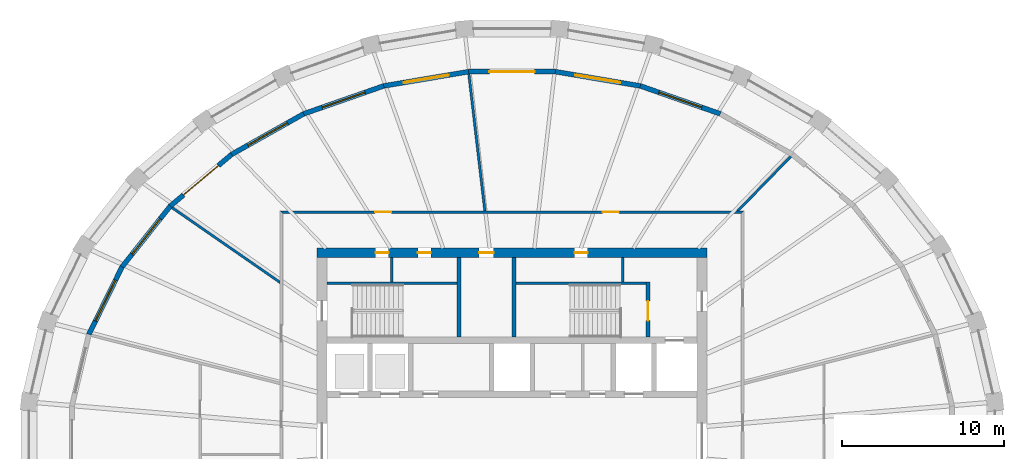
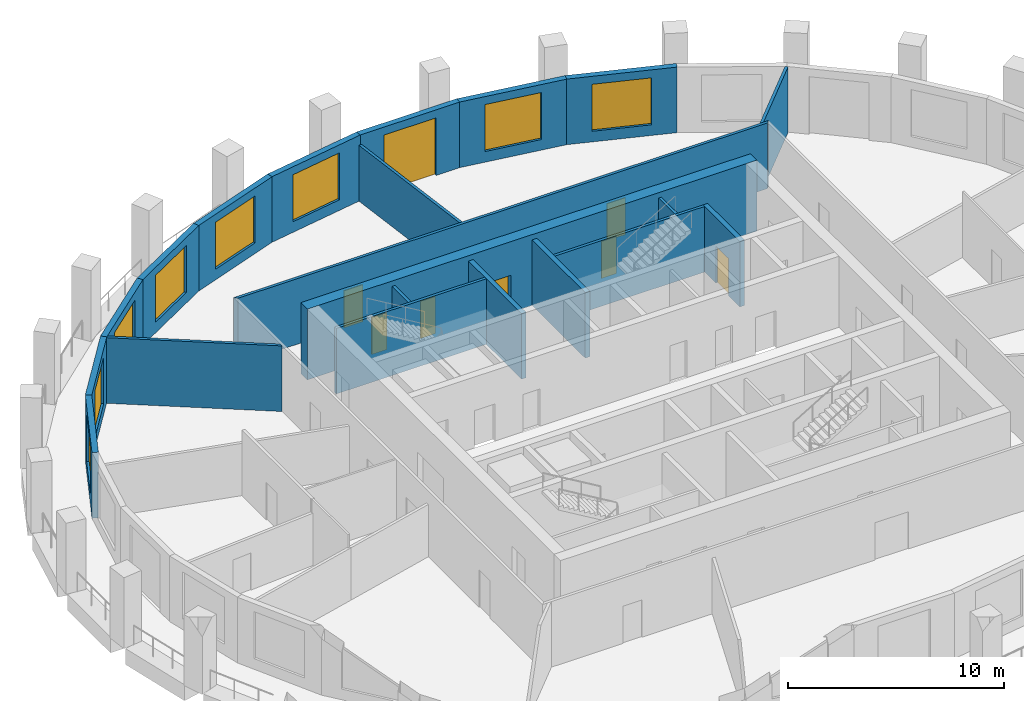
# One storey, part 6 of 10: 21 walls, 9 doors, 7 windows, 16 openings.
"""IFC4 building model written with IfcOpenShell, lengths in metres."""

from ifc_helpers import new_model, si_unit, direction, frame, frame_2d, origin, place, context, subcontext, project, spatial, polyline, rectangle, outline, extrude, material, layer, layer_set, type_object, element, fill, save


model = new_model("IFC4")

# Units and contexts
model_context = context("Model", 3, precision=1e-05, world=origin(), true_north=direction((0.0, 1.0)))
body_context = subcontext(model_context, "Body", "Model", "MODEL_VIEW")
ifc_project = project(units=[si_unit("LENGTHUNIT", "METRE"), si_unit("AREAUNIT", "SQUARE_METRE"), si_unit("VOLUMEUNIT", "CUBIC_METRE"), si_unit("PLANEANGLEUNIT", "RADIAN"), si_unit("MASSUNIT", "GRAM", prefix="KILO")], contexts=[model_context])

# Site, building, storey
site_placement = place(None, origin())
site = spatial("IfcSite", under=ifc_project, at=site_placement, CompositionType="ELEMENT")
building_placement = place(site_placement, origin())
building = spatial("IfcBuilding", under=site, at=building_placement, Name="Halqa Exchange Tower", CompositionType="ELEMENT")
storey_placement = place(building_placement, frame((0.0, 0.0, 268.300048828125)))
storey = spatial("IfcBuildingStorey", under=building, at=storey_placement, Name="L62", CompositionType="ELEMENT", Elevation=268.300048828125)

# Wall
ifc_material_1 = material(Name="Fire-rated gypsum board")
ifc_layer_1 = layer(ifc_material_1, 0.14990234375)
ifc_layer_set_1 = layer_set([ifc_layer_1], Name="Fire-rated gypsum board")
wall_type_1 = type_object("IfcWallType", Name="Fire partition EI 60 150", PredefinedType="PARTITIONING", material=ifc_layer_set_1)
wall_1_placement = place(storey_placement, frame((-14.232421875, 9.842529296875, 0.0), z_axis=(0.0, 0.0, 1.0), x_axis=(-0.822495571588, 0.56877151363, 0.0)))
element("IfcWall", 1, at=wall_1_placement, inside=storey, type_object=wall_type_1, Name="L62-PWL-010", PredefinedType="PARTITIONING", context=body_context, shape_type="SweptSolid", body=[
    extrude(outline(polyline([(0.103515625, -0.074951171875), (1.705322265625, -0.074951171875), (3.306884765625, -0.074951171875), (4.908447265625, -0.074951171875), (6.510009765625, -0.074951171875), (8.111572265625, -0.074951171875), (8.133056640625, 0.004150390625), (8.137451171875, 0.069580078125), (8.137451171875, 0.074951171875), (6.510009765625, 0.074951171875), (4.882568359375, 0.074951171875), (3.2548828125, 0.074951171875), (1.62744140625, 0.074951171875), (0.0, 0.074951171875), (0.0, 0.074951171875), (0.103515625, -0.074951171875)])), origin(), (0.0, 0.0, 1.0), 3.699951171875),
])

# Wall, openings, doors
wall_2_placement = place(storey_placement, frame((-14.27490234375, 14.199951171875, 0.0), z_axis=(0.0, 0.0, 1.0), x_axis=(1.0, 0.0, 0.0)))
wall_2 = element("IfcWall", 2, at=wall_2_placement, inside=storey, type_object=wall_type_1, Name="L62-PWL-011", PredefinedType="PARTITIONING", context=body_context, shape_type="SweptSolid", body=[
    extrude(outline(polyline([(0.14990234375, -0.074951171875), (2.033203125, -0.074951171875), (3.91650390625, -0.074951171875), (5.7998046875, -0.074951171875), (7.683349609375, -0.074951171875), (9.566650390625, -0.074951171875), (11.449951171875, -0.074951171875), (13.333251953125, -0.074951171875), (15.216552734375, -0.074951171875), (17.099853515625, -0.074951171875), (18.983154296875, -0.074951171875), (20.866455078125, -0.074951171875), (22.75, -0.074951171875), (24.63330078125, -0.074951171875), (26.5166015625, -0.074951171875), (28.39990234375, -0.074951171875), (28.5498046875, 0.074951171875), (28.5498046875, 0.074951171875), (26.646484375, 0.074951171875), (24.7431640625, 0.074951171875), (22.83984375, 0.074951171875), (20.9365234375, 0.074951171875), (19.033203125, 0.074951171875), (17.1298828125, 0.074951171875), (15.2265625, 0.074951171875), (13.3232421875, 0.074951171875), (11.419921875, 0.074951171875), (9.5166015625, 0.074951171875), (7.61328125, 0.074951171875), (5.7099609375, 0.074951171875), (3.806640625, 0.074951171875), (1.9033203125, 0.074951171875), (0.0, 0.074951171875), (0.14990234375, -0.074951171875)])), origin(), (0.0, 0.0, 1.0), 3.699951171875),
])
opening_1_placement = place(wall_2_placement, frame((5.844970703125, 0.0, 0.0)))
opening_1 = element("IfcOpeningElement", 3, at=opening_1_placement, cuts=wall_2, Name="Opening 19-01", PredefinedType="OPENING", context=body_context, shape_type="SweptSolid", body=[
    extrude(rectangle(XDim=1.0, YDim=2.10009765625, at=frame_2d((0.5, 1.050048828125))), frame((0.0, 0.0869140625, 0.0), z_axis=(0.0, -1.0, 0.0), x_axis=(1.0, 0.0, 0.0)), (0.0, 0.0, 1.0), 0.173828125),
])
opening_2_placement = place(wall_2_placement, frame((19.860107421875, 0.0, 0.0)))
opening_2 = element("IfcOpeningElement", 4, at=opening_2_placement, cuts=wall_2, Name="Opening 19-12", PredefinedType="OPENING", context=body_context, shape_type="SweptSolid", body=[
    extrude(rectangle(XDim=1.0, YDim=2.10009765625, at=frame_2d((0.5, 1.050048828125))), frame((0.0, 0.0869140625, 0.0), z_axis=(0.0, -1.0, 0.0), x_axis=(1.0, 0.0, 0.0)), (0.0, 0.0, 1.0), 0.173828125),
])
ifc_material_2 = material(Name="Steel fire door leaf", Category="steel")
door_type_1 = type_object("IfcDoorType", Name="Fire door FD30S 1000 x 2100", OperationType="SINGLE_SWING_LEFT", PredefinedType="DOOR", material=ifc_material_2)
door_1_placement = place(opening_1_placement, origin())
door_1 = element("IfcDoor", 5, at=door_1_placement, inside=storey, type_object=door_type_1, Name="L62-IDR-001", OperationType="SINGLE_SWING_RIGHT", OverallHeight=2.10009765625, OverallWidth=1.0, PredefinedType="DOOR", context=body_context, shape_type="SweptSolid", body=[
    extrude(rectangle(XDim=1.0, YDim=2.10009765625, at=frame_2d((0.5, 1.050048828125))), frame((0.0, 0.02490234375, 0.0), z_axis=(0.0, -1.0, 0.0), x_axis=(1.0, 0.0, 0.0)), (0.0, 0.0, 1.0), 0.050048828125),
])
fill(opening_1, door_1)
door_2_placement = place(opening_2_placement, origin())
door_2 = element("IfcDoor", 6, at=door_2_placement, inside=storey, type_object=door_type_1, Name="L62-IDR-012", OperationType="SINGLE_SWING_LEFT", OverallHeight=2.10009765625, OverallWidth=1.0, PredefinedType="DOOR", context=body_context, shape_type="SweptSolid", body=[
    extrude(rectangle(XDim=1.0, YDim=2.10009765625, at=frame_2d((0.5, 1.050048828125))), frame((0.0, 0.02490234375, 0.0), z_axis=(0.0, -1.0, 0.0), x_axis=(1.0, 0.0, 0.0)), (0.0, 0.0, 1.0), 0.050048828125),
])
fill(opening_2, door_2)

# Walls
wall_3_placement = place(storey_placement, frame((-2.654541015625, 22.6875, 0.0), z_axis=(0.0, 0.0, 1.0), x_axis=(0.116390143686, -0.993203571506, 0.0)))
element("IfcWall", 7, at=wall_3_placement, inside=storey, type_object=wall_type_1, Name="L62-PWL-014", PredefinedType="PARTITIONING", context=body_context, shape_type="SweptSolid", body=[
    extrude(outline(polyline([(0.0, -0.074951171875), (1.692138671875, -0.074951171875), (3.384521484375, -0.074951171875), (5.07666015625, -0.074951171875), (6.76904296875, -0.074951171875), (8.461181640625, -0.074951171875), (8.478515625, 0.072021484375), (8.478515625, 0.074951171875), (6.78369140625, 0.074951171875), (5.0888671875, 0.074951171875), (3.39404296875, 0.074951171875), (1.699462890625, 0.074951171875), (0.004638671875, 0.074951171875), (0.0, 0.0361328125), (0.0, -0.074951171875)])), origin(), (0.0, 0.0, 1.0), 3.14990234375),
])
wall_4_placement = place(storey_placement, frame((13.852294921875, 14.222900390625, 0.0), z_axis=(0.0, 0.0, 1.0), x_axis=(0.69820654799, 0.715896372629, 0.0)))
element("IfcWall", 8, at=wall_4_placement, inside=storey, type_object=wall_type_1, Name="L62-PWL-016", PredefinedType="PARTITIONING", context=body_context, shape_type="SweptSolid", body=[
    extrude(outline(polyline([(4.73388671875, -0.074951171875), (4.73388671875, 0.07470703125), (4.73388671875, 0.074951171875), (3.156005859375, 0.074951171875), (1.577880859375, 0.074951171875), (0.0, 0.074951171875), (0.0, 0.07470703125), (0.14599609375, -0.074951171875), (1.67529296875, -0.074951171875), (3.20458984375, -0.074951171875), (4.73388671875, -0.074951171875)])), origin(), (0.0, 0.0, 1.0), 3.699951171875),
])
ifc_material_3 = material(Name="Gypsum board")
ifc_layer_2 = layer(ifc_material_3, 0.14990234375)
ifc_layer_set_2 = layer_set([ifc_layer_2], Name="Gypsum board")
wall_type_2 = type_object("IfcWallType", Name="Penthouse riser wall 150 gypsum", PredefinedType="PARTITIONING", material=ifc_layer_set_2)
for number, where, z_axis, x_axis, name in (
    (9, (-7.39990234375, 9.89990234375, 0.0), (0.0, 0.0, 1.0), (0.0, 1.0, 0.0), "Partition W7.400 N"),
    (10, (6.824951171875, 9.89990234375, 0.0), (0.0, 0.0, 1.0), (0.0, 1.0, 0.0), "Firefighting lobby west wall N"),
):
    element("IfcWall", number, at=place(storey_placement, frame(where, z_axis=z_axis, x_axis=x_axis)), inside=storey, type_object=wall_type_2, Name=name, PredefinedType="PARTITIONING", context=body_context, shape_type="SweptSolid", body=[
        extrude(rectangle(XDim=1.5, YDim=0.14990234375, at=frame_2d((0.75, 0.0))), origin(), (0.0, 0.0, 1.0), 3.699951171875),
    ])

# Wall, openings, doors
ifc_material_4 = material(Name="Concrete C60/75", Category="concrete")
ifc_layer_3 = layer(ifc_material_4, 0.60009765625)
ifc_layer_set_3 = layer_set([ifc_layer_3], Name="Concrete C60/75")
wall_type_3 = type_object("IfcWallType", Name="RC core wall 600 C60/75", PredefinedType="SHEAR", material=ifc_layer_set_3)
wall_5_placement = place(storey_placement, frame((-12.0, 11.699951171875, 0.0), z_axis=(0.0, 0.0, 1.0), x_axis=(1.0, 0.0, 0.0)))
wall_5 = element("IfcWall", 11, at=wall_5_placement, inside=storey, type_object=wall_type_3, Name="Core wall north", PredefinedType="SHEAR", context=body_context, shape_type="SweptSolid", body=[
    extrude(rectangle(XDim=24.0, YDim=0.60009765625, at=frame_2d((12.0, 0.0))), origin(), (0.0, 0.0, 1.0), 4.0),
])
opening_3_placement = place(wall_5_placement, frame((9.97509765625, 0.0, 0.0)))
opening_3 = element("IfcOpeningElement", 12, at=opening_3_placement, cuts=wall_5, Name="Opening T19-C17", PredefinedType="OPENING", context=body_context, shape_type="SweptSolid", body=[
    extrude(rectangle(XDim=0.89990234375, YDim=2.10009765625, at=frame_2d((0.449951171875, 1.050048828125))), frame((0.0, 0.31201171875, 0.0), z_axis=(0.0, -1.0, 0.0), x_axis=(1.0, 0.0, 0.0)), (0.0, 0.0, 1.0), 0.6240234375),
])
opening_4_placement = place(wall_5_placement, frame((3.60009765625, 0.0, 0.0)))
opening_4 = element("IfcOpeningElement", 13, at=opening_4_placement, cuts=wall_5, Name="Opening T19-C18", PredefinedType="OPENING", context=body_context, shape_type="SweptSolid", body=[
    extrude(rectangle(XDim=0.800048828125, YDim=2.10009765625, at=frame_2d((0.39990234375, 1.050048828125))), frame((0.0, 0.31201171875, 0.0), z_axis=(0.0, -1.0, 0.0), x_axis=(1.0, 0.0, 0.0)), (0.0, 0.0, 1.0), 0.6240234375),
])
opening_5_placement = place(wall_5_placement, frame((6.199951171875, 0.0, 0.0)))
opening_5 = element("IfcOpeningElement", 14, at=opening_5_placement, cuts=wall_5, Name="Opening T19-C19", PredefinedType="OPENING", context=body_context, shape_type="SweptSolid", body=[
    extrude(rectangle(XDim=0.800048828125, YDim=2.10009765625, at=frame_2d((0.39990234375, 1.050048828125))), frame((0.0, 0.31201171875, 0.0), z_axis=(0.0, -1.0, 0.0), x_axis=(1.0, 0.0, 0.0)), (0.0, 0.0, 1.0), 0.6240234375),
])
opening_6_placement = place(wall_5_placement, frame((15.85009765625, 0.0, 0.0)))
opening_6 = element("IfcOpeningElement", 15, at=opening_6_placement, cuts=wall_5, Name="Opening T19-C20", PredefinedType="OPENING", context=body_context, shape_type="SweptSolid", body=[
    extrude(rectangle(XDim=0.800048828125, YDim=2.10009765625, at=frame_2d((0.39990234375, 1.050048828125))), frame((0.0, 0.31201171875, 0.0), z_axis=(0.0, -1.0, 0.0), x_axis=(1.0, 0.0, 0.0)), (0.0, 0.0, 1.0), 0.6240234375),
])
ifc_material_5 = material(Name="Timber fire door leaf", Category="wood")
door_type_2 = type_object("IfcDoorType", Name="Core room door FD30 900 x 2100", OperationType="SINGLE_SWING_LEFT", PredefinedType="DOOR", material=ifc_material_5)
door_3_placement = place(opening_3_placement, frame((0.89990234375, 0.0, 0.0), z_axis=(0.0, 0.0, 1.0), x_axis=(-1.0, 0.0, 0.0)))
door_3 = element("IfcDoor", 16, at=door_3_placement, inside=storey, type_object=door_type_2, Name="Core room door", OperationType="SINGLE_SWING_LEFT", OverallHeight=2.10009765625, OverallWidth=0.89990234375, PredefinedType="DOOR", context=body_context, shape_type="SweptSolid", body=[
    extrude(rectangle(XDim=0.89990234375, YDim=2.10009765625, at=frame_2d((0.449951171875, 1.050048828125))), frame((0.0, 0.02490234375, 0.0), z_axis=(0.0, -1.0, 0.0), x_axis=(1.0, 0.0, 0.0)), (0.0, 0.0, 1.0), 0.050048828125),
])
fill(opening_3, door_3)
door_type_3 = type_object("IfcDoorType", Name="Riser door FD60 800 x 2100", OperationType="SINGLE_SWING_LEFT", PredefinedType="DOOR", material=ifc_material_2)
door_4_placement = place(opening_4_placement, frame((0.800048828125, 0.0, 0.0), z_axis=(0.0, 0.0, 1.0), x_axis=(-1.0, 0.0, 0.0)))
door_4 = element("IfcDoor", 17, at=door_4_placement, inside=storey, type_object=door_type_3, Name="Core room door", OperationType="SINGLE_SWING_RIGHT", OverallHeight=2.10009765625, OverallWidth=0.800048828125, PredefinedType="DOOR", context=body_context, shape_type="SweptSolid", body=[
    extrude(rectangle(XDim=0.800048828125, YDim=2.10009765625, at=frame_2d((0.39990234375, 1.050048828125))), frame((0.0, 0.02490234375, 0.0), z_axis=(0.0, -1.0, 0.0), x_axis=(1.0, 0.0, 0.0)), (0.0, 0.0, 1.0), 0.050048828125),
])
fill(opening_4, door_4)
door_5_placement = place(opening_5_placement, frame((0.800048828125, 0.0, 0.0), z_axis=(0.0, 0.0, 1.0), x_axis=(-1.0, 0.0, 0.0)))
door_5 = element("IfcDoor", 18, at=door_5_placement, inside=storey, type_object=door_type_3, Name="Core room door", OperationType="SINGLE_SWING_RIGHT", OverallHeight=2.10009765625, OverallWidth=0.800048828125, PredefinedType="DOOR", context=body_context, shape_type="SweptSolid", body=[
    extrude(rectangle(XDim=0.800048828125, YDim=2.10009765625, at=frame_2d((0.39990234375, 1.050048828125))), frame((0.0, 0.02490234375, 0.0), z_axis=(0.0, -1.0, 0.0), x_axis=(1.0, 0.0, 0.0)), (0.0, 0.0, 1.0), 0.050048828125),
])
fill(opening_5, door_5)
door_6_placement = place(opening_6_placement, frame((0.800048828125, 0.0, 0.0), z_axis=(0.0, 0.0, 1.0), x_axis=(-1.0, 0.0, 0.0)))
door_6 = element("IfcDoor", 19, at=door_6_placement, inside=storey, type_object=door_type_3, Name="Core room door", OperationType="SINGLE_SWING_RIGHT", OverallHeight=2.10009765625, OverallWidth=0.800048828125, PredefinedType="DOOR", context=body_context, shape_type="SweptSolid", body=[
    extrude(rectangle(XDim=0.800048828125, YDim=2.10009765625, at=frame_2d((0.39990234375, 1.050048828125))), frame((0.0, 0.02490234375, 0.0), z_axis=(0.0, -1.0, 0.0), x_axis=(1.0, 0.0, 0.0)), (0.0, 0.0, 1.0), 0.050048828125),
])
fill(opening_6, door_6)

# Walls
ifc_material_6 = material(Name="Concrete C30/37", Category="concrete")
ifc_layer_4 = layer(ifc_material_6, 0.14990234375)
ifc_layer_set_4 = layer_set([ifc_layer_4], Name="Concrete C30/37")
wall_type_4 = type_object("IfcWallType", Name="RC stair wall 150 C30/37", PredefinedType="SHEAR", material=ifc_layer_set_4)
for number, where, z_axis, x_axis, name in (
    (20, (-11.39990234375, 9.824951171875, 0.0), (0.0, 0.0, 1.0), (1.0, 0.0, 0.0), "Stair ST1 north wall N"),
    (21, (0.25, 9.824951171875, 0.0), (0.0, 0.0, 1.0), (1.0, 0.0, 0.0), "Stair ST2 north wall N"),
):
    element("IfcWall", number, at=place(storey_placement, frame(where, z_axis=z_axis, x_axis=x_axis)), inside=storey, type_object=wall_type_4, Name=name, PredefinedType="SHEAR", context=body_context, shape_type="SweptSolid", body=[
        extrude(rectangle(XDim=8.0, YDim=0.14990234375, at=frame_2d((4.0, 0.0))), origin(), (0.0, 0.0, 1.0), 3.699951171875),
    ])
ifc_layer_5 = layer(ifc_material_6, 0.25)
ifc_layer_set_5 = layer_set([ifc_layer_5], Name="Concrete C30/37")
wall_type_5 = type_object("IfcWallType", Name="RC stair wall 250 C30/37", PredefinedType="SHEAR", material=ifc_layer_set_5)
for number, where, z_axis, x_axis, name in (
    (22, (-3.27490234375, 6.5, 0.0), (0.0, 0.0, 1.0), (0.0, 1.0, 0.0), "Stair ST1 east wall N"),
    (23, (0.125, 6.5, 0.0), (0.0, 0.0, 1.0), (0.0, 1.0, 0.0), "Stair ST2 west wall N"),
):
    element("IfcWall", number, at=place(storey_placement, frame(where, z_axis=z_axis, x_axis=x_axis)), inside=storey, type_object=wall_type_5, Name=name, PredefinedType="SHEAR", context=body_context, shape_type="SweptSolid", body=[
        extrude(rectangle(XDim=4.89990234375, YDim=0.25, at=frame_2d((2.449951171875, 0.0))), origin(), (0.0, 0.0, 1.0), 3.699951171875),
    ])

# Wall, opening, door
wall_6_placement = place(storey_placement, frame((8.375, 6.5, 0.0), z_axis=(0.0, 0.0, 1.0), x_axis=(0.0, 1.0, 0.0)))
wall_6 = element("IfcWall", 24, at=wall_6_placement, inside=storey, type_object=wall_type_5, Name="Stair ST2 east wall N", PredefinedType="SHEAR", context=body_context, shape_type="SweptSolid", body=[
    extrude(rectangle(XDim=3.39990234375, YDim=0.25, at=frame_2d((1.699951171875, 0.0))), origin(), (0.0, 0.0, 1.0), 3.699951171875),
])
opening_7_placement = place(wall_6_placement, frame((1.02490234375, 0.0, 0.0)))
opening_7 = element("IfcOpeningElement", 25, at=opening_7_placement, cuts=wall_6, Name="Opening T19-C12", PredefinedType="OPENING", context=body_context, shape_type="SweptSolid", body=[
    extrude(rectangle(XDim=1.199951171875, YDim=2.10009765625, at=frame_2d((0.60009765625, 1.050048828125))), frame((0.0, 0.136962890625, 0.0), z_axis=(0.0, -1.0, 0.0), x_axis=(1.0, 0.0, 0.0)), (0.0, 0.0, 1.0), 0.27392578125),
])
door_type_4 = type_object("IfcDoorType", Name="Stair door FD90 1200 x 2100", OperationType="SINGLE_SWING_LEFT", PredefinedType="DOOR", material=ifc_material_2)
door_7_placement = place(opening_7_placement, origin())
door_7 = element("IfcDoor", 26, at=door_7_placement, inside=storey, type_object=door_type_4, Name="Stair door ST2", OperationType="SINGLE_SWING_LEFT", OverallHeight=2.10009765625, OverallWidth=1.199951171875, PredefinedType="DOOR", context=body_context, shape_type="SweptSolid", body=[
    extrude(rectangle(XDim=1.199951171875, YDim=2.10009765625, at=frame_2d((0.60009765625, 1.050048828125))), frame((0.0, 0.02490234375, 0.0), z_axis=(0.0, -1.0, 0.0), x_axis=(1.0, 0.0, 0.0)), (0.0, 0.0, 1.0), 0.050048828125),
])
fill(opening_7, door_7)

# Wall, opening, window
ifc_material_7 = material(Name="Limestone cladding", Category="masonry")
ifc_layer_6 = layer(ifc_material_7, 0.0400390625)
ifc_material_8 = material(Name="Ventilated cavity")
ifc_layer_7 = layer(ifc_material_8, 0.030029296875, ventilated=True)
ifc_material_9 = material(Name="Mineral wool insulation")
ifc_layer_8 = layer(ifc_material_9, 0.10009765625)
ifc_layer_9 = layer(ifc_material_6, 0.10009765625)
ifc_material_10 = material(Name="Internal plaster")
ifc_layer_10 = layer(ifc_material_10, 0.030029296875)
ifc_layer_set_6 = layer_set([ifc_layer_6, ifc_layer_7, ifc_layer_8, ifc_layer_9, ifc_layer_10], Name="Stone-faced insulated wall 300")
wall_type_6 = type_object("IfcWallType", Name="Stone-faced insulated wall 300", PredefinedType="STANDARD", material=ifc_layer_set_6)
wall_7_placement = place(storey_placement, frame((12.822021484375, 20.246337890625, 0.0), z_axis=(0.0, 0.0, 1.0), x_axis=(-0.9441693858, 0.329460423904, 0.0)))
wall_7 = element("IfcWall", 27, at=wall_7_placement, inside=storey, type_object=wall_type_6, Name="Glass-line wall 6", PredefinedType="STANDARD", context=body_context, shape_type="SweptSolid", body=[
    extrude(outline(polyline([(-0.013427734375, -0.14990234375), (5.23095703125, -0.14990234375), (5.20556640625, 0.14990234375), (0.013427734375, 0.14990234375), (-0.013427734375, -0.14990234375)])), origin(), (0.0, 0.0, 1.0), 3.699951171875),
])
opening_8_placement = place(wall_7_placement, frame((1.209228515625, 0.0, 0.60009765625)))
opening_8 = element("IfcOpeningElement", 28, at=opening_8_placement, cuts=wall_7, Name="Opening W-F4-06", PredefinedType="OPENING", context=body_context, shape_type="SweptSolid", body=[
    extrude(rectangle(XDim=2.800048828125, YDim=2.64990234375, at=frame_2d((1.39990234375, 1.324951171875))), frame((0.0, 0.162109375, 0.0), z_axis=(0.0, -1.0, 0.0), x_axis=(1.0, 0.0, 0.0)), (0.0, 0.0, 1.0), 0.323974609375),
])
ifc_material_11 = material(Name="Clear low-emissivity glass in aluminium frame", Category="aluminium")
window_type = type_object("IfcWindowType", Name="Fixed clear glazed window 2800 x 2650", PartitioningType="DOUBLE_PANEL_VERTICAL", PredefinedType="WINDOW", material=ifc_material_11)
window_1_placement = place(opening_8_placement, origin())
window_1 = element("IfcWindow", 29, at=window_1_placement, inside=storey, type_object=window_type, Name="Window 4", OverallHeight=2.64990234375, OverallWidth=2.800048828125, PartitioningType="DOUBLE_PANEL_VERTICAL", PredefinedType="WINDOW", context=body_context, shape_type="SweptSolid", body=[
    extrude(rectangle(XDim=2.800048828125, YDim=2.64990234375, at=frame_2d((1.39990234375, 1.324951171875))), frame((0.0, 0.030029296875, 0.0), z_axis=(0.0, -1.0, 0.0), x_axis=(1.0, 0.0, 0.0)), (0.0, 0.0, 1.0), 0.06005859375),
])
fill(opening_8, window_1)

wall_8_placement = place(storey_placement, frame((7.89501953125, 21.965576171875, 0.0), z_axis=(0.0, 0.0, 1.0), x_axis=(-0.986250435411, 0.165257612993, 0.0)))
wall_8 = element("IfcWall", 30, at=wall_8_placement, inside=storey, type_object=wall_type_6, Name="Glass-line wall 7", PredefinedType="STANDARD", context=body_context, shape_type="SweptSolid", body=[
    extrude(outline(polyline([(-0.0126953125, -0.14990234375), (5.314697265625, -0.14990234375), (5.289794921875, 0.14990234375), (0.0126953125, 0.14990234375), (-0.0126953125, -0.14990234375)])), origin(), (0.0, 0.0, 1.0), 3.699951171875),
])
opening_9_placement = place(wall_8_placement, frame((1.2509765625, 0.0, 0.60009765625)))
opening_9 = element("IfcOpeningElement", 31, at=opening_9_placement, cuts=wall_8, Name="Opening W-F4-07", PredefinedType="OPENING", context=body_context, shape_type="SweptSolid", body=[
    extrude(rectangle(XDim=2.800048828125, YDim=2.64990234375, at=frame_2d((1.39990234375, 1.324951171875))), frame((0.0, 0.162109375, 0.0), z_axis=(0.0, -1.0, 0.0), x_axis=(1.0, 0.0, 0.0)), (0.0, 0.0, 1.0), 0.323974609375),
])
window_2_placement = place(opening_9_placement, origin())
window_2 = element("IfcWindow", 32, at=window_2_placement, inside=storey, type_object=window_type, Name="Window 4", OverallHeight=2.64990234375, OverallWidth=2.800048828125, PartitioningType="DOUBLE_PANEL_VERTICAL", PredefinedType="WINDOW", context=body_context, shape_type="SweptSolid", body=[
    extrude(rectangle(XDim=2.800048828125, YDim=2.64990234375, at=frame_2d((1.39990234375, 1.324951171875))), frame((0.0, 0.030029296875, 0.0), z_axis=(0.0, -1.0, 0.0), x_axis=(1.0, 0.0, 0.0)), (0.0, 0.0, 1.0), 0.06005859375),
])
fill(opening_9, window_2)

# Wall, opening, door
wall_9_placement = place(storey_placement, frame((2.665771484375, 22.841796875, 0.0), z_axis=(0.0, 0.0, 1.0), x_axis=(-1.0, 0.0, 0.0)))
wall_9 = element("IfcWall", 33, at=wall_9_placement, inside=storey, type_object=wall_type_6, Name="Glass-line wall 8", PredefinedType="STANDARD", context=body_context, shape_type="SweptSolid", body=[
    extrude(outline(polyline([(-0.012451171875, -0.14990234375), (5.343994140625, -0.14990234375), (5.319091796875, 0.14990234375), (0.012451171875, 0.14990234375), (-0.012451171875, -0.14990234375)])), origin(), (0.0, 0.0, 1.0), 3.699951171875),
])
opening_10_placement = place(wall_9_placement, frame((1.265625, 0.0, 0.0)))
opening_10 = element("IfcOpeningElement", 34, at=opening_10_placement, cuts=wall_9, Name="Opening LG-F4-02", PredefinedType="OPENING", context=body_context, shape_type="SweptSolid", body=[
    extrude(rectangle(XDim=2.800048828125, YDim=3.25, at=frame_2d((1.39990234375, 1.625))), frame((0.0, 0.162109375, 0.0), z_axis=(0.0, -1.0, 0.0), x_axis=(1.0, 0.0, 0.0)), (0.0, 0.0, 1.0), 0.323974609375),
])
door_type_5 = type_object("IfcDoorType", Name="Glazed sliding loggia door 2800 x 3250", OperationType="DOUBLE_DOOR_SLIDING", PredefinedType="DOOR", material=ifc_material_11)
door_8_placement = place(opening_10_placement, origin())
door_8 = element("IfcDoor", 35, at=door_8_placement, inside=storey, type_object=door_type_5, Name="Loggia door 2", OperationType="DOUBLE_DOOR_SLIDING", OverallHeight=3.25, OverallWidth=2.800048828125, PredefinedType="DOOR", context=body_context, shape_type="SweptSolid", body=[
    extrude(rectangle(XDim=2.800048828125, YDim=3.25, at=frame_2d((1.39990234375, 1.625))), frame((0.0, 0.02490234375, 0.0), z_axis=(0.0, -1.0, 0.0), x_axis=(1.0, 0.0, 0.0)), (0.0, 0.0, 1.0), 0.050048828125),
])
fill(opening_10, door_8)

# Wall, opening, window
wall_10_placement = place(storey_placement, frame((-2.665771484375, 22.841796875, 0.0), z_axis=(0.0, 0.0, 1.0), x_axis=(-0.986250435411, -0.165257612993, 0.0)))
wall_10 = element("IfcWall", 36, at=wall_10_placement, inside=storey, type_object=wall_type_6, Name="Glass-line wall 9", PredefinedType="STANDARD", context=body_context, shape_type="SweptSolid", body=[
    extrude(outline(polyline([(-0.012451171875, -0.14990234375), (5.31494140625, -0.14990234375), (5.28955078125, 0.14990234375), (0.012451171875, 0.14990234375), (-0.012451171875, -0.14990234375)])), origin(), (0.0, 0.0, 1.0), 3.699951171875),
])
opening_11_placement = place(wall_10_placement, frame((1.2509765625, 0.0, 0.60009765625)))
opening_11 = element("IfcOpeningElement", 37, at=opening_11_placement, cuts=wall_10, Name="Opening W-F4-09", PredefinedType="OPENING", context=body_context, shape_type="SweptSolid", body=[
    extrude(rectangle(XDim=2.800048828125, YDim=2.64990234375, at=frame_2d((1.39990234375, 1.324951171875))), frame((0.0, 0.162109375, 0.0), z_axis=(0.0, -1.0, 0.0), x_axis=(1.0, 0.0, 0.0)), (0.0, 0.0, 1.0), 0.323974609375),
])
window_3_placement = place(opening_11_placement, origin())
window_3 = element("IfcWindow", 38, at=window_3_placement, inside=storey, type_object=window_type, Name="Window 4", OverallHeight=2.64990234375, OverallWidth=2.800048828125, PartitioningType="DOUBLE_PANEL_VERTICAL", PredefinedType="WINDOW", context=body_context, shape_type="SweptSolid", body=[
    extrude(rectangle(XDim=2.800048828125, YDim=2.64990234375, at=frame_2d((1.39990234375, 1.324951171875))), frame((0.0, 0.030029296875, 0.0), z_axis=(0.0, -1.0, 0.0), x_axis=(1.0, 0.0, 0.0)), (0.0, 0.0, 1.0), 0.06005859375),
])
fill(opening_11, window_3)

wall_11_placement = place(storey_placement, frame((-7.89501953125, 21.965576171875, 0.0), z_axis=(0.0, 0.0, 1.0), x_axis=(-0.9441693858, -0.329460423904, 0.0)))
wall_11 = element("IfcWall", 39, at=wall_11_placement, inside=storey, type_object=wall_type_6, Name="Glass-line wall 10", PredefinedType="STANDARD", context=body_context, shape_type="SweptSolid", body=[
    extrude(outline(polyline([(-0.0126953125, -0.14990234375), (5.231689453125, -0.14990234375), (5.204833984375, 0.14990234375), (0.0126953125, 0.14990234375), (-0.0126953125, -0.14990234375)])), origin(), (0.0, 0.0, 1.0), 3.699951171875),
])
opening_12_placement = place(wall_11_placement, frame((1.209228515625, 0.0, 0.60009765625)))
opening_12 = element("IfcOpeningElement", 40, at=opening_12_placement, cuts=wall_11, Name="Opening W-F4-10", PredefinedType="OPENING", context=body_context, shape_type="SweptSolid", body=[
    extrude(rectangle(XDim=2.800048828125, YDim=2.64990234375, at=frame_2d((1.39990234375, 1.324951171875))), frame((0.0, 0.162109375, 0.0), z_axis=(0.0, -1.0, 0.0), x_axis=(1.0, 0.0, 0.0)), (0.0, 0.0, 1.0), 0.323974609375),
])
window_4_placement = place(opening_12_placement, origin())
window_4 = element("IfcWindow", 41, at=window_4_placement, inside=storey, type_object=window_type, Name="Window 4", OverallHeight=2.64990234375, OverallWidth=2.800048828125, PartitioningType="DOUBLE_PANEL_VERTICAL", PredefinedType="WINDOW", context=body_context, shape_type="SweptSolid", body=[
    extrude(rectangle(XDim=2.800048828125, YDim=2.64990234375, at=frame_2d((1.39990234375, 1.324951171875))), frame((0.0, 0.030029296875, 0.0), z_axis=(0.0, -1.0, 0.0), x_axis=(1.0, 0.0, 0.0)), (0.0, 0.0, 1.0), 0.06005859375),
])
fill(opening_12, window_4)

wall_12_placement = place(storey_placement, frame((-12.822021484375, 20.246337890625, 0.0), z_axis=(0.0, 0.0, 1.0), x_axis=(-0.871433320402, -0.490513983585, 0.0)))
wall_12 = element("IfcWall", 42, at=wall_12_placement, inside=storey, type_object=wall_type_6, Name="Glass-line wall 11", PredefinedType="STANDARD", context=body_context, shape_type="SweptSolid", body=[
    extrude(outline(polyline([(-0.013427734375, -0.14990234375), (5.1044921875, -0.14990234375), (5.076171875, 0.14990234375), (0.013427734375, 0.14990234375), (-0.013427734375, -0.14990234375)])), origin(), (0.0, 0.0, 1.0), 3.699951171875),
])
opening_13_placement = place(wall_12_placement, frame((1.14501953125, 0.0, 0.60009765625)))
opening_13 = element("IfcOpeningElement", 43, at=opening_13_placement, cuts=wall_12, Name="Opening W-F4-11", PredefinedType="OPENING", context=body_context, shape_type="SweptSolid", body=[
    extrude(rectangle(XDim=2.800048828125, YDim=2.64990234375, at=frame_2d((1.39990234375, 1.324951171875))), frame((0.0, 0.162109375, 0.0), z_axis=(0.0, -1.0, 0.0), x_axis=(1.0, 0.0, 0.0)), (0.0, 0.0, 1.0), 0.323974609375),
])
window_5_placement = place(opening_13_placement, origin())
window_5 = element("IfcWindow", 44, at=window_5_placement, inside=storey, type_object=window_type, Name="Window 4", OverallHeight=2.64990234375, OverallWidth=2.800048828125, PartitioningType="DOUBLE_PANEL_VERTICAL", PredefinedType="WINDOW", context=body_context, shape_type="SweptSolid", body=[
    extrude(rectangle(XDim=2.800048828125, YDim=2.64990234375, at=frame_2d((1.39990234375, 1.324951171875))), frame((0.0, 0.030029296875, 0.0), z_axis=(0.0, -1.0, 0.0), x_axis=(1.0, 0.0, 0.0)), (0.0, 0.0, 1.0), 0.06005859375),
])
fill(opening_13, window_5)

# Wall, opening, door
wall_13_placement = place(storey_placement, frame((-17.2578125, 17.74951171875, 0.0), z_axis=(0.0, 0.0, 1.0), x_axis=(-0.764832940795, -0.644228664897, 0.0)))
wall_13 = element("IfcWall", 45, at=wall_13_placement, inside=storey, type_object=wall_type_6, Name="Glass-line wall 12", PredefinedType="STANDARD", context=body_context, shape_type="SweptSolid", body=[
    extrude(outline(polyline([(-0.01416015625, -0.14990234375), (4.950439453125, -0.14990234375), (4.920166015625, 0.14990234375), (0.01416015625, 0.14990234375), (-0.01416015625, -0.14990234375)])), origin(), (0.0, 0.0, 1.0), 3.699951171875),
])
opening_14_placement = place(wall_13_placement, frame((1.067626953125, 0.0, 0.0)))
opening_14 = element("IfcOpeningElement", 46, at=opening_14_placement, cuts=wall_13, Name="Opening LG-F4-03", PredefinedType="OPENING", context=body_context, shape_type="SweptSolid", body=[
    extrude(rectangle(XDim=2.800048828125, YDim=3.25, at=frame_2d((1.39990234375, 1.625))), frame((0.0, 0.162109375, 0.0), z_axis=(0.0, -1.0, 0.0), x_axis=(1.0, 0.0, 0.0)), (0.0, 0.0, 1.0), 0.323974609375),
])
door_9_placement = place(opening_14_placement, origin())
door_9 = element("IfcDoor", 47, at=door_9_placement, inside=storey, type_object=door_type_5, Name="Loggia door 3", OperationType="DOUBLE_DOOR_SLIDING", OverallHeight=3.25, OverallWidth=2.800048828125, PredefinedType="DOOR", context=body_context, shape_type="SweptSolid", body=[
    extrude(rectangle(XDim=2.800048828125, YDim=3.25, at=frame_2d((1.39990234375, 1.625))), frame((0.0, 0.02490234375, 0.0), z_axis=(0.0, -1.0, 0.0), x_axis=(1.0, 0.0, 0.0)), (0.0, 0.0, 1.0), 0.050048828125),
])
fill(opening_14, door_9)

# Wall, opening, window
wall_14_placement = place(storey_placement, frame((-21.032470703125, 14.570068359375, 0.0), z_axis=(0.0, 0.0, 1.0), x_axis=(-0.621434755851, -0.783465917715, 0.0)))
wall_14 = element("IfcWall", 48, at=wall_14_placement, inside=storey, type_object=wall_type_6, Name="Glass-line wall 13", PredefinedType="STANDARD", context=body_context, shape_type="SweptSolid", body=[
    extrude(outline(polyline([(-0.01513671875, -0.14990234375), (4.791015625, -0.14990234375), (4.7587890625, 0.14990234375), (0.01513671875, 0.14990234375), (-0.01513671875, -0.14990234375)])), origin(), (0.0, 0.0, 1.0), 3.699951171875),
])
opening_15_placement = place(wall_14_placement, frame((0.9873046875, 0.0, 0.60009765625)))
opening_15 = element("IfcOpeningElement", 49, at=opening_15_placement, cuts=wall_14, Name="Opening W-F4-13", PredefinedType="OPENING", context=body_context, shape_type="SweptSolid", body=[
    extrude(rectangle(XDim=2.800048828125, YDim=2.64990234375, at=frame_2d((1.39990234375, 1.324951171875))), frame((0.0, 0.162109375, 0.0), z_axis=(0.0, -1.0, 0.0), x_axis=(1.0, 0.0, 0.0)), (0.0, 0.0, 1.0), 0.323974609375),
])
window_6_placement = place(opening_15_placement, origin())
window_6 = element("IfcWindow", 50, at=window_6_placement, inside=storey, type_object=window_type, Name="Window 4", OverallHeight=2.64990234375, OverallWidth=2.800048828125, PartitioningType="DOUBLE_PANEL_VERTICAL", PredefinedType="WINDOW", context=body_context, shape_type="SweptSolid", body=[
    extrude(rectangle(XDim=2.800048828125, YDim=2.64990234375, at=frame_2d((1.39990234375, 1.324951171875))), frame((0.0, 0.030029296875, 0.0), z_axis=(0.0, -1.0, 0.0), x_axis=(1.0, 0.0, 0.0)), (0.0, 0.0, 1.0), 0.06005859375),
])
fill(opening_15, window_6)

wall_15_placement = place(storey_placement, frame((-23.999755859375, 10.8291015625, 0.0), z_axis=(0.0, 0.0, 1.0), x_axis=(-0.441261940724, -0.897378348117, 0.0)))
wall_15 = element("IfcWall", 51, at=wall_15_placement, inside=storey, type_object=wall_type_6, Name="Glass-line wall 14", PredefinedType="STANDARD", context=body_context, shape_type="SweptSolid", body=[
    extrude(outline(polyline([(-0.01611328125, -0.14990234375), (4.651611328125, -0.14990234375), (4.617919921875, 0.14990234375), (0.01611328125, 0.14990234375), (-0.01611328125, -0.14990234375)])), origin(), (0.0, 0.0, 1.0), 3.699951171875),
])
opening_16_placement = place(wall_15_placement, frame((0.91748046875, 0.0, 0.60009765625)))
opening_16 = element("IfcOpeningElement", 52, at=opening_16_placement, cuts=wall_15, Name="Opening W-F4-14", PredefinedType="OPENING", context=body_context, shape_type="SweptSolid", body=[
    extrude(rectangle(XDim=2.800048828125, YDim=2.64990234375, at=frame_2d((1.39990234375, 1.324951171875))), frame((0.0, 0.162109375, 0.0), z_axis=(0.0, -1.0, 0.0), x_axis=(1.0, 0.0, 0.0)), (0.0, 0.0, 1.0), 0.323974609375),
])
window_7_placement = place(opening_16_placement, origin())
window_7 = element("IfcWindow", 53, at=window_7_placement, inside=storey, type_object=window_type, Name="Window 4", OverallHeight=2.64990234375, OverallWidth=2.800048828125, PartitioningType="DOUBLE_PANEL_VERTICAL", PredefinedType="WINDOW", context=body_context, shape_type="SweptSolid", body=[
    extrude(rectangle(XDim=2.800048828125, YDim=2.64990234375, at=frame_2d((1.39990234375, 1.324951171875))), frame((0.0, 0.030029296875, 0.0), z_axis=(0.0, -1.0, 0.0), x_axis=(1.0, 0.0, 0.0)), (0.0, 0.0, 1.0), 0.06005859375),
])
fill(opening_16, window_7)

save(model, "model.ifc")
